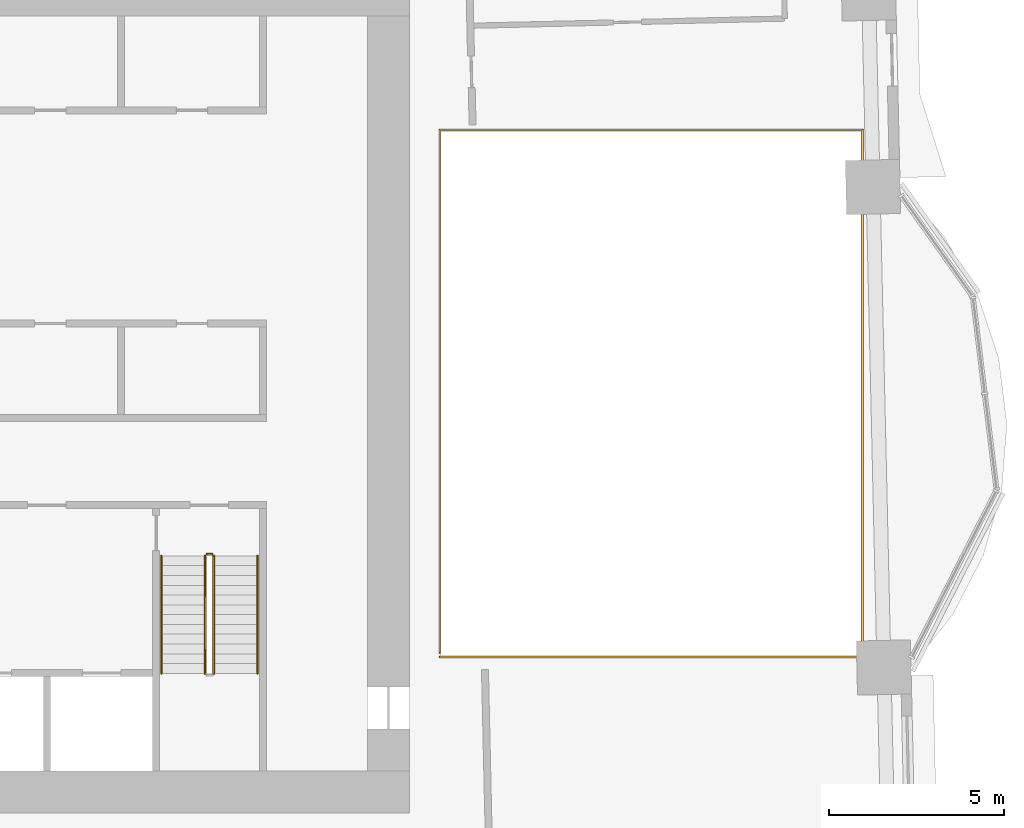
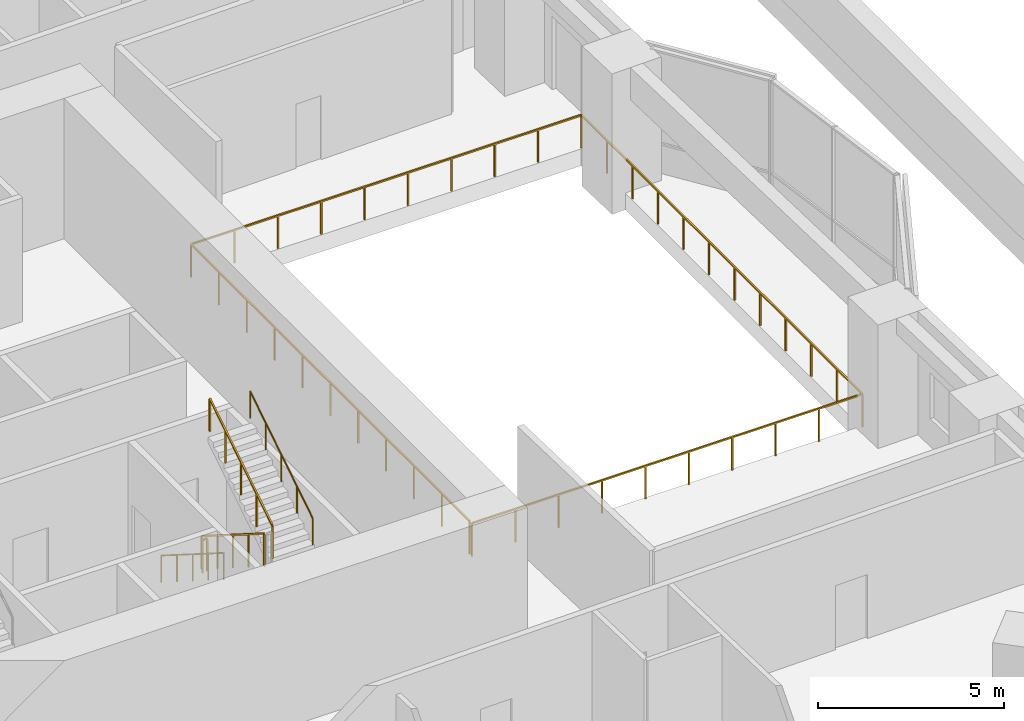
# One storey, part 20 of 21: 6 railings.
"""IFC4 building model written with IfcOpenShell, lengths in metres."""

from ifc_helpers import new_model, si_unit, direction, frame, origin, origin_2d, place, context, subcontext, project, spatial, rectangle, circle, extrude, material, type_object, element, save


model = new_model("IFC4")

# Units and contexts
model_context = context("Model", 3, precision=1e-05, world=origin(), true_north=direction((0.0, 1.0)))
body_context = subcontext(model_context, "Body", "Model", "MODEL_VIEW")
ifc_project = project(units=[si_unit("LENGTHUNIT", "METRE"), si_unit("AREAUNIT", "SQUARE_METRE"), si_unit("VOLUMEUNIT", "CUBIC_METRE"), si_unit("PLANEANGLEUNIT", "RADIAN"), si_unit("MASSUNIT", "GRAM", prefix="KILO")], contexts=[model_context])

# Site, building, storey
site_placement = place(None, origin())
site = spatial("IfcSite", under=ifc_project, at=site_placement, CompositionType="ELEMENT")
building_placement = place(site_placement, origin())
building = spatial("IfcBuilding", under=site, at=building_placement, Name="Mangrove Gate Tower", CompositionType="ELEMENT")
storey_placement = place(building_placement, frame((0.0, 0.0, 29.5)))
storey = spatial("IfcBuildingStorey", under=building, at=storey_placement, Name="L06", CompositionType="ELEMENT", Elevation=29.5)

# Railings
ifc_material_1 = material(Name="Stainless steel grade 316 with laminated glass infill", Category="steel")
railing_type_1 = type_object("IfcRailingType", Name="Balcony guard 1100", PredefinedType="GUARDRAIL", material=ifc_material_1)
railing_1_placement = place(storey_placement, frame((15.860107421875, -7.5400390625, 0.0)))
element("IfcRailing", 1, at=railing_1_placement, inside=storey, type_object=railing_type_1, Name="GUARD L06 atrium", PredefinedType="GUARDRAIL", context=body_context, shape_type="SweptSolid", body=[
    extrude(rectangle(XDim=0.048095703125, YDim=0.048095703125, at=origin_2d()), frame((0.0, 0.0, 1.076171875), z_axis=(1.0, 0.0, 0.0), x_axis=(0.0, 1.0, 0.0)), (0.0, 0.0, 1.0), 12.101806640625),
    extrude(rectangle(XDim=0.048095703125, YDim=0.048095703125, at=origin_2d()), frame((12.101806640625, 0.0, 1.076171875), z_axis=(0.0, 1.0, 0.0), x_axis=(-1.0, 0.0, 0.0)), (0.0, 0.0, 1.0), 15.080078125),
    extrude(rectangle(XDim=0.048095703125, YDim=0.048095703125, at=origin_2d()), frame((12.101806640625, 15.080078125, 1.076171875), z_axis=(-1.0, 0.0, 0.0), x_axis=(0.0, -1.0, 0.0)), (0.0, 0.0, 1.0), 12.101806640625),
    extrude(rectangle(XDim=0.048095703125, YDim=0.048095703125, at=origin_2d()), frame((0.0, 15.080078125, 1.076171875), z_axis=(0.0, -1.0, 0.0), x_axis=(1.0, 0.0, 0.0)), (0.0, 0.0, 1.0), 14.9599609375),
    extrude(rectangle(XDim=0.0419921875, YDim=0.0419921875, at=origin_2d()), origin(), (0.0, 0.0, 1.0), 1.052001953125),
    extrude(rectangle(XDim=0.0419921875, YDim=0.0419921875, at=origin_2d()), frame((1.3447265625, 0.0, 0.0)), (0.0, 0.0, 1.0), 1.052001953125),
    extrude(rectangle(XDim=0.0419921875, YDim=0.0419921875, at=origin_2d()), frame((2.689208984375, 0.0, 0.0)), (0.0, 0.0, 1.0), 1.052001953125),
    extrude(rectangle(XDim=0.0419921875, YDim=0.0419921875, at=origin_2d()), frame((4.033935546875, 0.0, 0.0)), (0.0, 0.0, 1.0), 1.052001953125),
    extrude(rectangle(XDim=0.0419921875, YDim=0.0419921875, at=origin_2d()), frame((5.378662109375, 0.0, 0.0)), (0.0, 0.0, 1.0), 1.052001953125),
    extrude(rectangle(XDim=0.0419921875, YDim=0.0419921875, at=origin_2d()), frame((6.72314453125, 0.0, 0.0)), (0.0, 0.0, 1.0), 1.052001953125),
    extrude(rectangle(XDim=0.0419921875, YDim=0.0419921875, at=origin_2d()), frame((8.06787109375, 0.0, 0.0)), (0.0, 0.0, 1.0), 1.052001953125),
    extrude(rectangle(XDim=0.0419921875, YDim=0.0419921875, at=origin_2d()), frame((9.41259765625, 0.0, 0.0)), (0.0, 0.0, 1.0), 1.052001953125),
    extrude(rectangle(XDim=0.0419921875, YDim=0.0419921875, at=origin_2d()), frame((10.757080078125, 0.0, 0.0)), (0.0, 0.0, 1.0), 1.052001953125),
    extrude(rectangle(XDim=0.0419921875, YDim=0.0419921875, at=origin_2d()), frame((12.101806640625, 0.0, 0.0)), (0.0, 0.0, 1.0), 1.052001953125),
    extrude(rectangle(XDim=0.0419921875, YDim=0.0419921875, at=origin_2d()), frame((12.101806640625, 1.370849609375, 0.0)), (0.0, 0.0, 1.0), 1.052001953125),
    extrude(rectangle(XDim=0.0419921875, YDim=0.0419921875, at=origin_2d()), frame((12.101806640625, 2.741943359375, 0.0)), (0.0, 0.0, 1.0), 1.052001953125),
    extrude(rectangle(XDim=0.0419921875, YDim=0.0419921875, at=origin_2d()), frame((12.101806640625, 4.11279296875, 0.0)), (0.0, 0.0, 1.0), 1.052001953125),
    extrude(rectangle(XDim=0.0419921875, YDim=0.0419921875, at=origin_2d()), frame((12.101806640625, 5.483642578125, 0.0)), (0.0, 0.0, 1.0), 1.052001953125),
    extrude(rectangle(XDim=0.0419921875, YDim=0.0419921875, at=origin_2d()), frame((12.101806640625, 6.8544921875, 0.0)), (0.0, 0.0, 1.0), 1.052001953125),
    extrude(rectangle(XDim=0.0419921875, YDim=0.0419921875, at=origin_2d()), frame((12.101806640625, 8.2255859375, 0.0)), (0.0, 0.0, 1.0), 1.052001953125),
    extrude(rectangle(XDim=0.0419921875, YDim=0.0419921875, at=origin_2d()), frame((12.101806640625, 9.596435546875, 0.0)), (0.0, 0.0, 1.0), 1.052001953125),
    extrude(rectangle(XDim=0.0419921875, YDim=0.0419921875, at=origin_2d()), frame((12.101806640625, 10.96728515625, 0.0)), (0.0, 0.0, 1.0), 1.052001953125),
    extrude(rectangle(XDim=0.0419921875, YDim=0.0419921875, at=origin_2d()), frame((12.101806640625, 12.338134765625, 0.0)), (0.0, 0.0, 1.0), 1.052001953125),
    extrude(rectangle(XDim=0.0419921875, YDim=0.0419921875, at=origin_2d()), frame((12.101806640625, 13.709228515625, 0.0)), (0.0, 0.0, 1.0), 1.052001953125),
    extrude(rectangle(XDim=0.0419921875, YDim=0.0419921875, at=origin_2d()), frame((12.101806640625, 15.080078125, 0.0)), (0.0, 0.0, 1.0), 1.052001953125),
    extrude(rectangle(XDim=0.0419921875, YDim=0.0419921875, at=origin_2d()), frame((10.757080078125, 15.080078125, 0.0)), (0.0, 0.0, 1.0), 1.052001953125),
    extrude(rectangle(XDim=0.0419921875, YDim=0.0419921875, at=origin_2d()), frame((9.41259765625, 15.080078125, 0.0)), (0.0, 0.0, 1.0), 1.052001953125),
    extrude(rectangle(XDim=0.0419921875, YDim=0.0419921875, at=origin_2d()), frame((8.06787109375, 15.080078125, 0.0)), (0.0, 0.0, 1.0), 1.052001953125),
    extrude(rectangle(XDim=0.0419921875, YDim=0.0419921875, at=origin_2d()), frame((6.72314453125, 15.080078125, 0.0)), (0.0, 0.0, 1.0), 1.052001953125),
    extrude(rectangle(XDim=0.0419921875, YDim=0.0419921875, at=origin_2d()), frame((5.378662109375, 15.080078125, 0.0)), (0.0, 0.0, 1.0), 1.052001953125),
    extrude(rectangle(XDim=0.0419921875, YDim=0.0419921875, at=origin_2d()), frame((4.033935546875, 15.080078125, 0.0)), (0.0, 0.0, 1.0), 1.052001953125),
    extrude(rectangle(XDim=0.0419921875, YDim=0.0419921875, at=origin_2d()), frame((2.689208984375, 15.080078125, 0.0)), (0.0, 0.0, 1.0), 1.052001953125),
    extrude(rectangle(XDim=0.0419921875, YDim=0.0419921875, at=origin_2d()), frame((1.3447265625, 15.080078125, 0.0)), (0.0, 0.0, 1.0), 1.052001953125),
    extrude(rectangle(XDim=0.0419921875, YDim=0.0419921875, at=origin_2d()), frame((0.0, 15.080078125, 0.0)), (0.0, 0.0, 1.0), 1.052001953125),
    extrude(rectangle(XDim=0.0419921875, YDim=0.0419921875, at=origin_2d()), frame((0.0, 13.583984375, 0.0)), (0.0, 0.0, 1.0), 1.052001953125),
    extrude(rectangle(XDim=0.0419921875, YDim=0.0419921875, at=origin_2d()), frame((0.0, 12.088134765625, 0.0)), (0.0, 0.0, 1.0), 1.052001953125),
    extrude(rectangle(XDim=0.0419921875, YDim=0.0419921875, at=origin_2d()), frame((0.0, 10.592041015625, 0.0)), (0.0, 0.0, 1.0), 1.052001953125),
    extrude(rectangle(XDim=0.0419921875, YDim=0.0419921875, at=origin_2d()), frame((0.0, 9.09619140625, 0.0)), (0.0, 0.0, 1.0), 1.052001953125),
    extrude(rectangle(XDim=0.0419921875, YDim=0.0419921875, at=origin_2d()), frame((0.0, 7.60009765625, 0.0)), (0.0, 0.0, 1.0), 1.052001953125),
    extrude(rectangle(XDim=0.0419921875, YDim=0.0419921875, at=origin_2d()), frame((0.0, 6.10400390625, 0.0)), (0.0, 0.0, 1.0), 1.052001953125),
    extrude(rectangle(XDim=0.0419921875, YDim=0.0419921875, at=origin_2d()), frame((0.0, 4.608154296875, 0.0)), (0.0, 0.0, 1.0), 1.052001953125),
    extrude(rectangle(XDim=0.0419921875, YDim=0.0419921875, at=origin_2d()), frame((0.0, 3.112060546875, 0.0)), (0.0, 0.0, 1.0), 1.052001953125),
    extrude(rectangle(XDim=0.0419921875, YDim=0.0419921875, at=origin_2d()), frame((0.0, 1.6162109375, 0.0)), (0.0, 0.0, 1.0), 1.052001953125),
    extrude(rectangle(XDim=0.0419921875, YDim=0.0419921875, at=origin_2d()), frame((0.0, 0.1201171875, 0.0)), (0.0, 0.0, 1.0), 1.052001953125),
])
ifc_material_2 = material(Name="Stainless steel 316", Category="steel")
railing_type_2 = type_object("IfcRailingType", Name="Core stair guard 1100", PredefinedType="GUARDRAIL", material=ifc_material_2)
railing_2_placement = place(storey_placement, frame((9.14990234375, -4.64990234375, 0.177001953125)))
element("IfcRailing", 2, at=railing_2_placement, inside=storey, type_object=railing_type_2, Name="L06 ST3 stair guard 1", PredefinedType="GUARDRAIL", context=body_context, shape_type="SweptSolid", body=[
    extrude(rectangle(XDim=0.048095703125, YDim=0.048095703125, at=origin_2d()), frame((0.0, 0.0, 1.076171875), z_axis=(0.0, -0.845389635667, 0.534150132366), x_axis=(1.0, 0.0, 0.0)), (0.0, 0.0, 1.0), 3.974609375),
    extrude(rectangle(XDim=0.0419921875, YDim=0.0419921875, at=origin_2d()), origin(), (0.0, 0.0, 1.0), 1.052001953125),
    extrude(rectangle(XDim=0.0419921875, YDim=0.0419921875, at=origin_2d()), frame((0.0, -0.840087890625, 0.53076171875)), (0.0, 0.0, 1.0), 1.052001953125),
    extrude(rectangle(XDim=0.0419921875, YDim=0.0419921875, at=origin_2d()), frame((0.0, -1.68017578125, 1.0615234375)), (0.0, 0.0, 1.0), 1.052001953125),
    extrude(rectangle(XDim=0.0419921875, YDim=0.0419921875, at=origin_2d()), frame((0.0, -2.52001953125, 1.59228515625)), (0.0, 0.0, 1.0), 1.052001953125),
    extrude(rectangle(XDim=0.0419921875, YDim=0.0419921875, at=origin_2d()), frame((0.0, -3.360107421875, 2.123046875)), (0.0, 0.0, 1.0), 1.052001953125),
])
railing_3_placement = place(storey_placement, frame((9.39990234375, -8.010009765625, 2.476806640625)))
element("IfcRailing", 3, at=railing_3_placement, inside=storey, type_object=railing_type_2, Name="L06 ST3 stair guard 3", PredefinedType="GUARDRAIL", context=body_context, shape_type="SweptSolid", body=[
    extrude(rectangle(XDim=0.048095703125, YDim=0.048095703125, at=origin_2d()), frame((0.0, 0.0, 1.076171875), z_axis=(0.0, 0.845361898145, 0.534194029511), x_axis=(-1.0, 0.0, 0.0)), (0.0, 0.0, 1.0), 3.974853515625),
    extrude(rectangle(XDim=0.0419921875, YDim=0.0419921875, at=origin_2d()), origin(), (0.0, 0.0, 1.0), 1.052001953125),
    extrude(rectangle(XDim=0.0419921875, YDim=0.0419921875, at=origin_2d()), frame((0.0, 0.840087890625, 0.53076171875)), (0.0, 0.0, 1.0), 1.052001953125),
    extrude(rectangle(XDim=0.0419921875, YDim=0.0419921875, at=origin_2d()), frame((0.0, 1.68017578125, 1.0615234375)), (0.0, 0.0, 1.0), 1.052001953125),
    extrude(rectangle(XDim=0.0419921875, YDim=0.0419921875, at=origin_2d()), frame((0.0, 2.52001953125, 1.592529296875)), (0.0, 0.0, 1.0), 1.052001953125),
    extrude(rectangle(XDim=0.0419921875, YDim=0.0419921875, at=origin_2d()), frame((0.0, 3.360107421875, 2.123291015625)), (0.0, 0.0, 1.0), 1.052001953125),
])
railing_4_placement = place(storey_placement, frame((9.199951171875, -4.60009765625, 0.0)))
element("IfcRailing", 4, at=railing_4_placement, inside=storey, type_object=railing_type_2, Name="L06 ST3 stair guard 4", PredefinedType="GUARDRAIL", context=body_context, shape_type="SweptSolid", body=[
    extrude(rectangle(XDim=0.048095703125, YDim=0.048095703125, at=origin_2d()), frame((0.0, 0.0, 1.076171875), z_axis=(1.0, 0.0, 0.0), x_axis=(0.0, 1.0, 0.0)), (0.0, 0.0, 1.0), 0.150146484375),
    extrude(rectangle(XDim=0.0419921875, YDim=0.0419921875, at=origin_2d()), origin(), (0.0, 0.0, 1.0), 1.052001953125),
    extrude(rectangle(XDim=0.0419921875, YDim=0.0419921875, at=origin_2d()), frame((0.150146484375, 0.0, 0.0)), (0.0, 0.0, 1.0), 1.052001953125),
])
ifc_material_3 = material(Name="Stainless steel 316", Category="steel")
railing_type_3 = type_object("IfcRailingType", Name="Core stair handrail 900", PredefinedType="HANDRAIL", material=ifc_material_3)
railing_5_placement = place(storey_placement, frame((7.89990234375, -4.64990234375, 0.177001953125)))
element("IfcRailing", 5, at=railing_5_placement, inside=storey, type_object=railing_type_3, Name="L06 ST3 stair handrail 1", PredefinedType="HANDRAIL", context=body_context, shape_type="SweptSolid", body=[
    extrude(circle(Radius=0.02392578125, at=origin_2d()), frame((0.0, 0.0, 0.8759765625), z_axis=(0.0, -0.845389635667, 0.534150132366), x_axis=(1.0, 0.0, 0.0)), (0.0, 0.0, 1.0), 3.974609375),
    extrude(circle(Radius=0.02099609375, at=origin_2d()), origin(), (0.0, 0.0, 1.0), 0.851806640625),
    extrude(circle(Radius=0.02099609375, at=origin_2d()), frame((0.0, -0.840087890625, 0.53076171875)), (0.0, 0.0, 1.0), 0.851806640625),
    extrude(circle(Radius=0.02099609375, at=origin_2d()), frame((0.0, -1.68017578125, 1.0615234375)), (0.0, 0.0, 1.0), 0.851806640625),
    extrude(circle(Radius=0.02099609375, at=origin_2d()), frame((0.0, -2.52001953125, 1.59228515625)), (0.0, 0.0, 1.0), 0.851806640625),
    extrude(circle(Radius=0.02099609375, at=origin_2d()), frame((0.0, -3.360107421875, 2.123046875)), (0.0, 0.0, 1.0), 0.851806640625),
])
railing_6_placement = place(storey_placement, frame((10.64990234375, -8.010009765625, 2.476806640625)))
element("IfcRailing", 6, at=railing_6_placement, inside=storey, type_object=railing_type_3, Name="L06 ST3 stair handrail 2", PredefinedType="HANDRAIL", context=body_context, shape_type="SweptSolid", body=[
    extrude(circle(Radius=0.02392578125, at=origin_2d()), frame((0.0, 0.0, 0.8759765625), z_axis=(0.0, 0.845361898145, 0.534194029511), x_axis=(-1.0, 0.0, 0.0)), (0.0, 0.0, 1.0), 3.974853515625),
    extrude(circle(Radius=0.02099609375, at=origin_2d()), origin(), (0.0, 0.0, 1.0), 0.851806640625),
    extrude(circle(Radius=0.02099609375, at=origin_2d()), frame((0.0, 0.840087890625, 0.53076171875)), (0.0, 0.0, 1.0), 0.851806640625),
    extrude(circle(Radius=0.02099609375, at=origin_2d()), frame((0.0, 1.68017578125, 1.0615234375)), (0.0, 0.0, 1.0), 0.851806640625),
    extrude(circle(Radius=0.02099609375, at=origin_2d()), frame((0.0, 2.52001953125, 1.592529296875)), (0.0, 0.0, 1.0), 0.851806640625),
    extrude(circle(Radius=0.02099609375, at=origin_2d()), frame((0.0, 3.360107421875, 2.123291015625)), (0.0, 0.0, 1.0), 0.851806640625),
])

save(model, "model.ifc")
